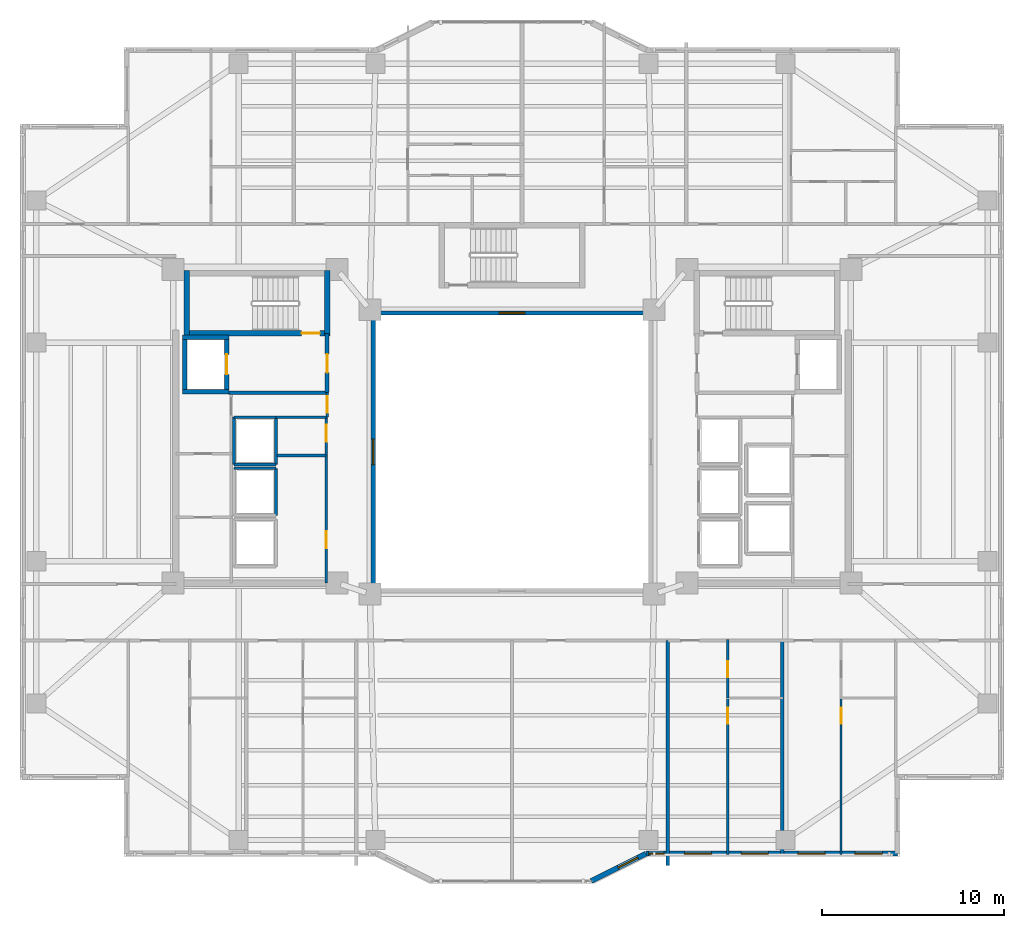
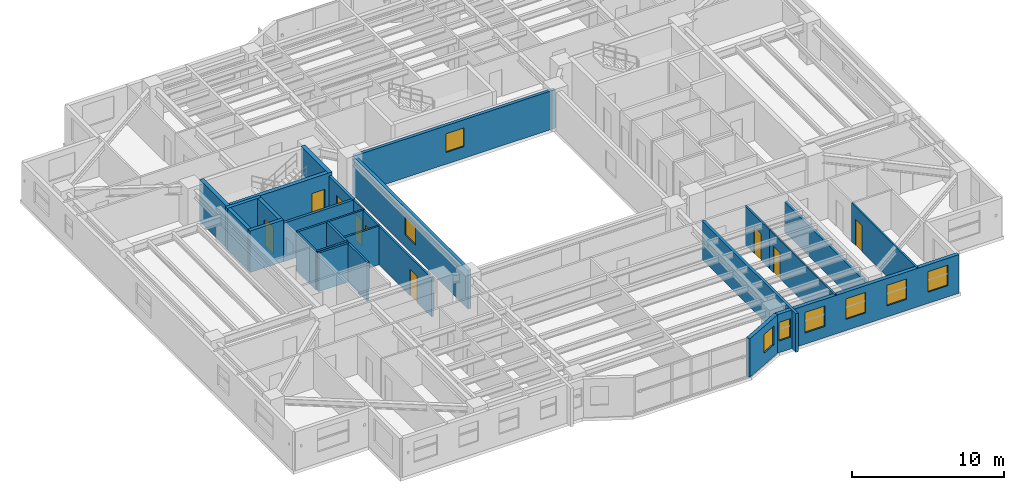
# One storey, part 7 of 18: 28 walls, 9 doors, 8 windows, 17 openings.
"""IFC4 building model written with IfcOpenShell, lengths in metres."""

from ifc_helpers import new_model, si_unit, direction, frame, frame_2d, origin, place, context, subcontext, project, spatial, rectangle, extrude, material, layer, layer_set, type_object, element, fill, save


model = new_model("IFC4")

# Units and contexts
model_context = context("Model", 3, precision=1e-05, world=origin(), true_north=direction((0.0, 1.0)))
body_context = subcontext(model_context, "Body", "Model", "MODEL_VIEW")
ifc_project = project(units=[si_unit("LENGTHUNIT", "METRE"), si_unit("AREAUNIT", "SQUARE_METRE"), si_unit("VOLUMEUNIT", "CUBIC_METRE"), si_unit("PLANEANGLEUNIT", "RADIAN"), si_unit("MASSUNIT", "GRAM", prefix="KILO")], contexts=[model_context])

# Site, building, storey
site_placement = place(None, origin())
site = spatial("IfcSite", under=ifc_project, at=site_placement, CompositionType="ELEMENT")
building_placement = place(site_placement, origin())
building = spatial("IfcBuilding", under=site, at=building_placement, Name="Tarnavaz Court Tower", CompositionType="ELEMENT")
storey_placement = place(building_placement, frame((0.0, 0.0, 101.75)))
storey = spatial("IfcBuildingStorey", under=building, at=storey_placement, Name="L27", CompositionType="ELEMENT", Elevation=101.75)

# Wall
ifc_material_1 = material(Name="Concrete C60/75", Category="concrete")
ifc_layer_1 = layer(ifc_material_1, 0.25)
ifc_layer_set_1 = layer_set([ifc_layer_1], Name="Concrete C60/75")
wall_type_1 = type_object("IfcWallType", Name="WL-CORE-250-C60", PredefinedType="SHEAR", material=ifc_layer_set_1)
wall_1_placement = place(storey_placement, frame((-17.949951171875, 3.175048828125, 0.0), z_axis=(0.0, 0.0, 1.0), x_axis=(0.0, 1.0, 0.0)))
element("IfcWall", 1, at=wall_1_placement, inside=storey, type_object=wall_type_1, Name="L27 Lift FL-W1 Shaft Wall 017", PredefinedType="SHEAR", context=body_context, shape_type="SweptSolid", body=[
    extrude(rectangle(XDim=3.25, YDim=0.25, at=frame_2d((1.625, 0.0))), origin(), (0.0, 0.0, 1.0), 3.35009765625),
])

# Wall, opening, door
wall_2_placement = place(storey_placement, frame((-15.64990234375, 3.175048828125, 0.0), z_axis=(0.0, 0.0, 1.0), x_axis=(0.0, 1.0, 0.0)))
wall_2 = element("IfcWall", 2, at=wall_2_placement, inside=storey, type_object=wall_type_1, Name="L27 Lift FL-W1 Shaft Wall 018", PredefinedType="SHEAR", context=body_context, shape_type="SweptSolid", body=[
    extrude(rectangle(XDim=3.25, YDim=0.25, at=frame_2d((1.625, 0.0))), origin(), (0.0, 0.0, 1.0), 3.35009765625),
])
opening_1_placement = place(wall_2_placement, frame((1.074951171875, 0.0, 0.0)))
opening_1 = element("IfcOpeningElement", 3, at=opening_1_placement, cuts=wall_2, Name="Opening LD1", PredefinedType="OPENING", context=body_context, shape_type="SweptSolid", body=[
    extrude(rectangle(XDim=1.10009765625, YDim=2.14990234375, at=frame_2d((0.550048828125, 1.074951171875))), frame((0.0, 0.135009765625, 0.0), z_axis=(0.0, -1.0, 0.0), x_axis=(1.0, 0.0, 0.0)), (0.0, 0.0, 1.0), 0.27001953125),
])
ifc_material_2 = material(Name="Stainless Steel", Category="steel")
door_type_1 = type_object("IfcDoorType", Name="DR-LD-1100", OperationType="NOTDEFINED", PredefinedType="DOOR", material=ifc_material_2)
door_1_placement = place(opening_1_placement, origin())
door_1 = element("IfcDoor", 4, at=door_1_placement, inside=storey, type_object=door_type_1, Name="L27 Lift Landing Door LD-FL-W1", OperationType="SLIDING_TO_LEFT", OverallHeight=2.14990234375, OverallWidth=1.10009765625, PredefinedType="DOOR", context=body_context, shape_type="SweptSolid", body=[
    extrude(rectangle(XDim=1.10009765625, YDim=2.14990234375, at=frame_2d((0.550048828125, 1.074951171875))), frame((0.0, 0.02490234375, 0.0), z_axis=(0.0, -1.0, 0.0), x_axis=(1.0, 0.0, 0.0)), (0.0, 0.0, 1.0), 0.050048828125),
])
fill(opening_1, door_1)

# Walls
for number, where, z_axis, x_axis, name in (
    (5, (-18.074951171875, 3.300048828125, 0.0), (0.0, 0.0, 1.0), (1.0, 0.0, 0.0), "L27 Lift FL-W1 Shaft Wall 019"),
    (6, (-18.074951171875, 6.300048828125, 0.0), (0.0, 0.0, 1.0), (1.0, 0.0, 0.0), "L27 Lift FL-W1 Shaft Wall 020"),
):
    element("IfcWall", number, at=place(storey_placement, frame(where, z_axis=z_axis, x_axis=x_axis)), inside=storey, type_object=wall_type_1, Name=name, PredefinedType="SHEAR", context=body_context, shape_type="SweptSolid", body=[
        extrude(rectangle(XDim=2.550048828125, YDim=0.25, at=frame_2d((1.27490234375, 0.0))), origin(), (0.0, 0.0, 1.0), 3.35009765625),
    ])

# Wall, opening, door
ifc_layer_2 = layer(ifc_material_1, 0.300048828125)
ifc_layer_set_2 = layer_set([ifc_layer_2], Name="Concrete C60/75")
wall_type_2 = type_object("IfcWallType", Name="WL-CORE-300-C60", PredefinedType="SHEAR", material=ifc_layer_set_2)
wall_3_placement = place(storey_placement, frame((-18.0, 6.5, 0.0), z_axis=(0.0, 0.0, 1.0), x_axis=(1.0, 0.0, 0.0)))
wall_3 = element("IfcWall", 7, at=wall_3_placement, inside=storey, type_object=wall_type_2, Name="L27 West Stair Core Wall 002", PredefinedType="SHEAR", context=body_context, shape_type="SweptSolid", body=[
    extrude(rectangle(XDim=8.0, YDim=0.300048828125, at=frame_2d((4.0, 0.0))), origin(), (0.0, 0.0, 1.0), 3.35009765625),
])
opening_2_placement = place(wall_3_placement, frame((6.449951171875, 0.0, 0.0)))
opening_2 = element("IfcOpeningElement", 8, at=opening_2_placement, cuts=wall_3, Name="Opening D01", PredefinedType="OPENING", context=body_context, shape_type="SweptSolid", body=[
    extrude(rectangle(XDim=1.0, YDim=2.14990234375, at=frame_2d((0.5, 1.074951171875))), frame((0.0, 0.159912109375, 0.0), z_axis=(0.0, -1.0, 0.0), x_axis=(1.0, 0.0, 0.0)), (0.0, 0.0, 1.0), 0.320068359375),
])
ifc_material_3 = material(Name="Fire-Rated Hardwood Timber Core", Category="wood")
door_type_2 = type_object("IfcDoorType", Name="DR-FD90-1000", OperationType="NOTDEFINED", PredefinedType="DOOR", material=ifc_material_3)
door_2_placement = place(opening_2_placement, origin())
door_2 = element("IfcDoor", 9, at=door_2_placement, inside=storey, type_object=door_type_2, Name="L27 Stair ST-W1 Exit Door", OperationType="SINGLE_SWING_LEFT", OverallHeight=2.14990234375, OverallWidth=1.0, PredefinedType="DOOR", context=body_context, shape_type="SweptSolid", body=[
    extrude(rectangle(XDim=1.0, YDim=2.14990234375, at=frame_2d((0.5, 1.074951171875))), frame((0.0, 0.02490234375, 0.0), z_axis=(0.0, -1.0, 0.0), x_axis=(1.0, 0.0, 0.0)), (0.0, 0.0, 1.0), 0.050048828125),
])
fill(opening_2, door_2)

# Walls
for number, where, z_axis, x_axis, name in (
    (10, (-17.85009765625, 6.35009765625, 0.0), (0.0, 0.0, 1.0), (0.0, 1.0, 0.0), "L27 West Stair Core Wall 003"),
    (11, (-10.14990234375, 6.35009765625, 0.0), (0.0, 0.0, 1.0), (0.0, 1.0, 0.0), "L27 West Stair Core Wall 004"),
):
    element("IfcWall", number, at=place(storey_placement, frame(where, z_axis=z_axis, x_axis=x_axis)), inside=storey, type_object=wall_type_2, Name=name, PredefinedType="SHEAR", context=body_context, shape_type="SweptSolid", body=[
        extrude(rectangle(XDim=3.58984375, YDim=0.300048828125, at=frame_2d((1.794921875, 0.0))), origin(), (0.0, 0.0, 1.0), 3.35009765625),
    ])

# Wall, openings, windows
ifc_material_4 = material(Name="Precast Concrete C40/50", Category="concrete")
ifc_layer_3 = layer(ifc_material_4, 0.280029296875)
ifc_layer_set_3 = layer_set([ifc_layer_3], Name="Precast Concrete C40/50")
wall_type_3 = type_object("IfcWallType", Name="WL-EXT-280", PredefinedType="SOLIDWALL", material=ifc_layer_set_3)
wall_4_placement = place(storey_placement, frame((21.14990234375, -22.050048828125, 0.0), z_axis=(0.0, 0.0, 1.0), x_axis=(-1.0, 0.0, 0.0)))
wall_4 = element("IfcWall", 12, at=wall_4_placement, inside=storey, type_object=wall_type_3, Name="L27 Exterior Terracotta Facade Wall 15", PredefinedType="SOLIDWALL", context=body_context, shape_type="SweptSolid", body=[
    extrude(rectangle(XDim=13.7998046875, YDim=0.280029296875, at=frame_2d((6.89990234375, 0.0))), origin(), (0.0, 0.0, 1.0), 3.10009765625),
])
opening_3_placement = place(wall_4_placement, frame((0.830810546875, 0.0, 0.89990234375)))
opening_3 = element("IfcOpeningElement", 13, at=opening_3_placement, cuts=wall_4, Name="Opening W03", PredefinedType="OPENING", context=body_context, shape_type="SweptSolid", body=[
    extrude(rectangle(XDim=1.5, YDim=1.64990234375, at=frame_2d((0.75, 0.824951171875))), frame((0.0, 0.14990234375, 0.0), z_axis=(0.0, -1.0, 0.0), x_axis=(1.0, 0.0, 0.0)), (0.0, 0.0, 1.0), 0.300048828125),
])
opening_4_placement = place(wall_4_placement, frame((3.967041015625, 0.0, 0.89990234375)))
opening_4 = element("IfcOpeningElement", 14, at=opening_4_placement, cuts=wall_4, Name="Opening W03", PredefinedType="OPENING", context=body_context, shape_type="SweptSolid", body=[
    extrude(rectangle(XDim=1.5, YDim=1.64990234375, at=frame_2d((0.75, 0.824951171875))), frame((0.0, 0.14990234375, 0.0), z_axis=(0.0, -1.0, 0.0), x_axis=(1.0, 0.0, 0.0)), (0.0, 0.0, 1.0), 0.300048828125),
])
opening_5_placement = place(wall_4_placement, frame((7.078369140625, 0.0, 0.89990234375)))
opening_5 = element("IfcOpeningElement", 15, at=opening_5_placement, cuts=wall_4, Name="Opening W03", PredefinedType="OPENING", context=body_context, shape_type="SweptSolid", body=[
    extrude(rectangle(XDim=1.5, YDim=1.64990234375, at=frame_2d((0.75, 0.824951171875))), frame((0.0, 0.14990234375, 0.0), z_axis=(0.0, -1.0, 0.0), x_axis=(1.0, 0.0, 0.0)), (0.0, 0.0, 1.0), 0.300048828125),
])
opening_6_placement = place(wall_4_placement, frame((10.189697265625, 0.0, 0.89990234375)))
opening_6 = element("IfcOpeningElement", 16, at=opening_6_placement, cuts=wall_4, Name="Opening W03", PredefinedType="OPENING", context=body_context, shape_type="SweptSolid", body=[
    extrude(rectangle(XDim=1.5, YDim=1.64990234375, at=frame_2d((0.75, 0.824951171875))), frame((0.0, 0.14990234375, 0.0), z_axis=(0.0, -1.0, 0.0), x_axis=(1.0, 0.0, 0.0)), (0.0, 0.0, 1.0), 0.300048828125),
])
opening_7_placement = place(wall_4_placement, frame((12.802978515625, 0.0, 0.949951171875)))
opening_7 = element("IfcOpeningElement", 17, at=opening_7_placement, cuts=wall_4, Name="Opening W15", PredefinedType="OPENING", context=body_context, shape_type="SweptSolid", body=[
    extrude(rectangle(XDim=0.85009765625, YDim=1.5, at=frame_2d((0.425048828125, 0.75))), frame((0.0, 0.14990234375, 0.0), z_axis=(0.0, -1.0, 0.0), x_axis=(1.0, 0.0, 0.0)), (0.0, 0.0, 1.0), 0.300048828125),
])
ifc_material_5 = material(Name="Double-Glazed Solar Low-E Glass", Category="glass")
window_type_1 = type_object("IfcWindowType", Name="WN-APT-1500", PartitioningType="DOUBLE_PANEL_VERTICAL", PredefinedType="WINDOW", material=ifc_material_5)
window_1_placement = place(opening_3_placement, origin())
window_1 = element("IfcWindow", 18, at=window_1_placement, inside=storey, type_object=window_type_1, Name="L27 Flat 08 Kitchen Window", OverallHeight=1.64990234375, OverallWidth=1.5, PartitioningType="SINGLE_PANEL", PredefinedType="WINDOW", context=body_context, shape_type="SweptSolid", body=[
    extrude(rectangle(XDim=1.5, YDim=1.64990234375, at=frame_2d((0.75, 0.824951171875))), frame((0.0, 0.030029296875, 0.0), z_axis=(0.0, -1.0, 0.0), x_axis=(1.0, 0.0, 0.0)), (0.0, 0.0, 1.0), 0.06005859375),
])
fill(opening_3, window_1)
window_2_placement = place(opening_4_placement, origin())
window_2 = element("IfcWindow", 19, at=window_2_placement, inside=storey, type_object=window_type_1, Name="L27 Flat 08 Studio Living and Sleeping Room Window", OverallHeight=1.64990234375, OverallWidth=1.5, PartitioningType="SINGLE_PANEL", PredefinedType="WINDOW", context=body_context, shape_type="SweptSolid", body=[
    extrude(rectangle(XDim=1.5, YDim=1.64990234375, at=frame_2d((0.75, 0.824951171875))), frame((0.0, 0.030029296875, 0.0), z_axis=(0.0, -1.0, 0.0), x_axis=(1.0, 0.0, 0.0)), (0.0, 0.0, 1.0), 0.06005859375),
])
fill(opening_4, window_2)
window_3_placement = place(opening_5_placement, origin())
window_3 = element("IfcWindow", 20, at=window_3_placement, inside=storey, type_object=window_type_1, Name="L27 Flat 07 Kitchen Window", OverallHeight=1.64990234375, OverallWidth=1.5, PartitioningType="SINGLE_PANEL", PredefinedType="WINDOW", context=body_context, shape_type="SweptSolid", body=[
    extrude(rectangle(XDim=1.5, YDim=1.64990234375, at=frame_2d((0.75, 0.824951171875))), frame((0.0, 0.030029296875, 0.0), z_axis=(0.0, -1.0, 0.0), x_axis=(1.0, 0.0, 0.0)), (0.0, 0.0, 1.0), 0.06005859375),
])
fill(opening_5, window_3)
window_4_placement = place(opening_6_placement, origin())
window_4 = element("IfcWindow", 21, at=window_4_placement, inside=storey, type_object=window_type_1, Name="L27 Flat 07 Studio Living and Sleeping Room Window", OverallHeight=1.64990234375, OverallWidth=1.5, PartitioningType="SINGLE_PANEL", PredefinedType="WINDOW", context=body_context, shape_type="SweptSolid", body=[
    extrude(rectangle(XDim=1.5, YDim=1.64990234375, at=frame_2d((0.75, 0.824951171875))), frame((0.0, 0.030029296875, 0.0), z_axis=(0.0, -1.0, 0.0), x_axis=(1.0, 0.0, 0.0)), (0.0, 0.0, 1.0), 0.06005859375),
])
fill(opening_6, window_4)
window_type_2 = type_object("IfcWindowType", Name="WN-APT-850", PartitioningType="SINGLE_PANEL", PredefinedType="WINDOW", material=ifc_material_5)
window_5_placement = place(opening_7_placement, origin())
window_5 = element("IfcWindow", 22, at=window_5_placement, inside=storey, type_object=window_type_2, Name="L27 South Courtyard Reading Room Window", OverallHeight=1.5, OverallWidth=0.85009765625, PartitioningType="SINGLE_PANEL", PredefinedType="WINDOW", context=body_context, shape_type="SweptSolid", body=[
    extrude(rectangle(XDim=0.85009765625, YDim=1.5, at=frame_2d((0.425048828125, 0.75))), frame((0.0, 0.030029296875, 0.0), z_axis=(0.0, -1.0, 0.0), x_axis=(1.0, 0.0, 0.0)), (0.0, 0.0, 1.0), 0.06005859375),
])
fill(opening_7, window_5)

# Wall, opening, window
wall_5_placement = place(storey_placement, frame((7.35009765625, -22.050048828125, 0.0), z_axis=(0.0, 0.0, 1.0), x_axis=(-0.894427191, -0.4472135955, 0.0)))
wall_5 = element("IfcWall", 23, at=wall_5_placement, inside=storey, type_object=wall_type_3, Name="L27 Exterior Terracotta Facade Wall 16", PredefinedType="SOLIDWALL", context=body_context, shape_type="SweptSolid", body=[
    extrude(rectangle(XDim=3.35400390625, YDim=0.280029296875, at=frame_2d((1.677001953125, 0.0))), origin(), (0.0, 0.0, 1.0), 3.10009765625),
])
opening_8_placement = place(wall_5_placement, frame((0.501220703125, 0.0, 0.949951171875)))
opening_8 = element("IfcOpeningElement", 24, at=opening_8_placement, cuts=wall_5, Name="Opening W05", PredefinedType="OPENING", context=body_context, shape_type="SweptSolid", body=[
    extrude(rectangle(XDim=1.199951171875, YDim=1.5, at=frame_2d((0.60009765625, 0.75))), frame((0.0, 0.14990234375, 0.0), z_axis=(0.0, -1.0, 0.0), x_axis=(1.0, 0.0, 0.0)), (0.0, 0.0, 1.0), 0.300048828125),
])
window_type_3 = type_object("IfcWindowType", Name="WN-APT-1200", PartitioningType="SINGLE_PANEL", PredefinedType="WINDOW", material=ifc_material_5)
window_6_placement = place(opening_8_placement, origin())
window_6 = element("IfcWindow", 25, at=window_6_placement, inside=storey, type_object=window_type_3, Name="L27 South Courtyard Reading Room Window", OverallHeight=1.5, OverallWidth=1.199951171875, PartitioningType="SINGLE_PANEL", PredefinedType="WINDOW", context=body_context, shape_type="SweptSolid", body=[
    extrude(rectangle(XDim=1.199951171875, YDim=1.5, at=frame_2d((0.60009765625, 0.75))), frame((0.0, 0.030029296875, 0.0), z_axis=(0.0, -1.0, 0.0), x_axis=(1.0, 0.0, 0.0)), (0.0, 0.0, 1.0), 0.06005859375),
])
fill(opening_8, window_6)

# Wall
ifc_material_6 = material(Name="Autoclaved Aerated Concrete Blockwork", Category="masonry")
ifc_layer_4 = layer(ifc_material_6, 0.199951171875)
ifc_layer_set_4 = layer_set([ifc_layer_4], Name="Autoclaved Aerated Concrete Blockwork")
wall_type_4 = type_object("IfcWallType", Name="WL-FIRE-200", PredefinedType="SOLIDWALL", material=ifc_layer_set_4)
wall_6_placement = place(storey_placement, frame((-15.550048828125, 3.25, 0.0), z_axis=(0.0, 0.0, 1.0), x_axis=(1.0, 0.0, 0.0)))
element("IfcWall", 26, at=wall_6_placement, inside=storey, type_object=wall_type_4, Name="L27 West Firefighting Lobby Wall 013", PredefinedType="SOLIDWALL", context=body_context, shape_type="SweptSolid", body=[
    extrude(rectangle(XDim=5.400146484375, YDim=0.199951171875, at=frame_2d((2.7001953125, 0.0))), origin(), (0.0, 0.0, 1.0), 3.10009765625),
])

# Wall, opening, door
wall_7_placement = place(storey_placement, frame((-10.14990234375, 3.25, 0.0), z_axis=(0.0, 0.0, 1.0), x_axis=(0.0, 1.0, 0.0)))
wall_7 = element("IfcWall", 27, at=wall_7_placement, inside=storey, type_object=wall_type_4, Name="L27 West Firefighting Lobby Wall 014", PredefinedType="SOLIDWALL", context=body_context, shape_type="SweptSolid", body=[
    extrude(rectangle(XDim=3.25, YDim=0.199951171875, at=frame_2d((1.625, 0.0))), origin(), (0.0, 0.0, 1.0), 3.10009765625),
])
opening_9_placement = place(wall_7_placement, frame((1.10009765625, 0.0, 0.0)))
opening_9 = element("IfcOpeningElement", 28, at=opening_9_placement, cuts=wall_7, Name="Opening D05", PredefinedType="OPENING", context=body_context, shape_type="SweptSolid", body=[
    extrude(rectangle(XDim=1.02001953125, YDim=2.14990234375, at=frame_2d((0.510009765625, 1.074951171875))), frame((0.0, 0.10986328125, 0.0), z_axis=(0.0, -1.0, 0.0), x_axis=(1.0, 0.0, 0.0)), (0.0, 0.0, 1.0), 0.219970703125),
])
door_type_3 = type_object("IfcDoorType", Name="DR-FD60-1000", OperationType="NOTDEFINED", PredefinedType="DOOR", material=ifc_material_3)
door_3_placement = place(opening_9_placement, origin())
door_3 = element("IfcDoor", 29, at=door_3_placement, inside=storey, type_object=door_type_3, Name="L27 West Firefighting Lobby Door", OperationType="SINGLE_SWING_RIGHT", OverallHeight=2.14990234375, OverallWidth=1.02001953125, PredefinedType="DOOR", context=body_context, shape_type="SweptSolid", body=[
    extrude(rectangle(XDim=1.02001953125, YDim=2.14990234375, at=frame_2d((0.510009765625, 1.074951171875))), frame((0.0, 0.02490234375, 0.0), z_axis=(0.0, -1.0, 0.0), x_axis=(1.0, 0.0, 0.0)), (0.0, 0.0, 1.0), 0.050048828125),
])
fill(opening_9, door_3)

# Walls
wall_8_placement = place(storey_placement, frame((14.824951171875, -22.10009765625, 0.0), z_axis=(0.0, 0.0, 1.0), x_axis=(0.0, 1.0, 0.0)))
element("IfcWall", 30, at=wall_8_placement, inside=storey, type_object=wall_type_4, Name="L27 Party Wall 102", PredefinedType="SOLIDWALL", context=body_context, shape_type="SweptSolid", body=[
    extrude(rectangle(XDim=11.75, YDim=0.199951171875, at=frame_2d((5.875, 0.0))), origin(), (0.0, 0.0, 1.0), 2.43505859375),
])
wall_9_placement = place(storey_placement, frame((8.550048828125, -22.7041015625, 0.0), z_axis=(0.0, 0.0, 1.0), x_axis=(0.0, 1.0, 0.0)))
element("IfcWall", 31, at=wall_9_placement, inside=storey, type_object=wall_type_4, Name="L27 Party Wall 110", PredefinedType="SOLIDWALL", context=body_context, shape_type="SweptSolid", body=[
    extrude(rectangle(XDim=12.35400390625, YDim=0.199951171875, at=frame_2d((6.177001953125, 0.0))), origin(), (0.0, 0.0, 1.0), 3.10009765625),
])

# Wall, opening, door
ifc_material_7 = material(Name="Moisture-Resistant Gypsum Board Partition", Category="masonry")
ifc_layer_5 = layer(ifc_material_7, 0.1201171875)
ifc_layer_set_5 = layer_set([ifc_layer_5], Name="Moisture-Resistant Gypsum Board Partition")
wall_type_5 = type_object("IfcWallType", Name="WL-PART-120", PredefinedType="PARTITIONING", material=ifc_layer_set_5)
wall_10_placement = place(storey_placement, frame((11.8349609375, -22.10009765625, 0.0), z_axis=(0.0, 0.0, 1.0), x_axis=(0.0, 1.0, 0.0)))
wall_10 = element("IfcWall", 32, at=wall_10_placement, inside=storey, type_object=wall_type_5, Name="L27 Interior Partition 103", PredefinedType="PARTITIONING", context=body_context, shape_type="SweptSolid", body=[
    extrude(rectangle(XDim=8.590087890625, YDim=0.1201171875, at=frame_2d((4.294921875, 0.0))), origin(), (0.0, 0.0, 1.0), 3.10009765625),
])
opening_10_placement = place(wall_10_placement, frame((7.18994140625, 0.0, 0.0)))
opening_10 = element("IfcOpeningElement", 33, at=opening_10_placement, cuts=wall_10, Name="Opening D14", PredefinedType="OPENING", context=body_context, shape_type="SweptSolid", body=[
    extrude(rectangle(XDim=0.8798828125, YDim=2.10009765625, at=frame_2d((0.43994140625, 1.050048828125))), frame((0.0, 0.070068359375, 0.0), z_axis=(0.0, -1.0, 0.0), x_axis=(1.0, 0.0, 0.0)), (0.0, 0.0, 1.0), 0.14013671875),
])
ifc_material_8 = material(Name="Engineered Oak Timber", Category="wood")
door_type_4 = type_object("IfcDoorType", Name="DR-INT-900", OperationType="NOTDEFINED", PredefinedType="DOOR", material=ifc_material_8)
door_4_placement = place(opening_10_placement, origin())
door_4 = element("IfcDoor", 34, at=door_4_placement, inside=storey, type_object=door_type_4, Name="L27 Flat 07 Kitchen Door", OperationType="SINGLE_SWING_LEFT", OverallHeight=2.10009765625, OverallWidth=0.8798828125, PredefinedType="DOOR", context=body_context, shape_type="SweptSolid", body=[
    extrude(rectangle(XDim=0.8798828125, YDim=2.10009765625, at=frame_2d((0.43994140625, 1.050048828125))), frame((0.0, 0.02490234375, 0.0), z_axis=(0.0, -1.0, 0.0), x_axis=(1.0, 0.0, 0.0)), (0.0, 0.0, 1.0), 0.050048828125),
])
fill(opening_10, door_4)

wall_11_placement = place(storey_placement, frame((11.8349609375, -13.510009765625, 0.0), z_axis=(0.0, 0.0, 1.0), x_axis=(0.0, 1.0, 0.0)))
wall_11 = element("IfcWall", 35, at=wall_11_placement, inside=storey, type_object=wall_type_5, Name="L27 Interior Partition 104", PredefinedType="PARTITIONING", context=body_context, shape_type="SweptSolid", body=[
    extrude(rectangle(XDim=3.219970703125, YDim=0.1201171875, at=frame_2d((1.60986328125, 0.0))), origin(), (0.0, 0.0, 1.0), 3.10009765625),
])
opening_11_placement = place(wall_11_placement, frame((1.139892578125, 0.0, 0.0)))
opening_11 = element("IfcOpeningElement", 36, at=opening_11_placement, cuts=wall_11, Name="Opening D14", PredefinedType="OPENING", context=body_context, shape_type="SweptSolid", body=[
    extrude(rectangle(XDim=0.8798828125, YDim=2.10009765625, at=frame_2d((0.43994140625, 1.050048828125))), frame((0.0, 0.070068359375, 0.0), z_axis=(0.0, -1.0, 0.0), x_axis=(1.0, 0.0, 0.0)), (0.0, 0.0, 1.0), 0.14013671875),
])
door_5_placement = place(opening_11_placement, origin())
door_5 = element("IfcDoor", 37, at=door_5_placement, inside=storey, type_object=door_type_4, Name="L27 Flat 07 Bathroom Door", OperationType="SINGLE_SWING_RIGHT", OverallHeight=2.10009765625, OverallWidth=0.8798828125, PredefinedType="DOOR", context=body_context, shape_type="SweptSolid", body=[
    extrude(rectangle(XDim=0.8798828125, YDim=2.10009765625, at=frame_2d((0.43994140625, 1.050048828125))), frame((0.0, 0.02490234375, 0.0), z_axis=(0.0, -1.0, 0.0), x_axis=(1.0, 0.0, 0.0)), (0.0, 0.0, 1.0), 0.050048828125),
])
fill(opening_11, door_5)

wall_12_placement = place(storey_placement, frame((18.06005859375, -22.10009765625, 0.0), z_axis=(0.0, 0.0, 1.0), x_axis=(0.0, 1.0, 0.0)))
wall_12 = element("IfcWall", 38, at=wall_12_placement, inside=storey, type_object=wall_type_5, Name="L27 Interior Partition 106", PredefinedType="PARTITIONING", context=body_context, shape_type="SweptSolid", body=[
    extrude(rectangle(XDim=8.590087890625, YDim=0.1201171875, at=frame_2d((4.294921875, 0.0))), origin(), (0.0, 0.0, 1.0), 3.10009765625),
])
opening_12_placement = place(wall_12_placement, frame((7.18994140625, 0.0, 0.0)))
opening_12 = element("IfcOpeningElement", 39, at=opening_12_placement, cuts=wall_12, Name="Opening D14", PredefinedType="OPENING", context=body_context, shape_type="SweptSolid", body=[
    extrude(rectangle(XDim=0.8798828125, YDim=2.10009765625, at=frame_2d((0.43994140625, 1.050048828125))), frame((0.0, 0.070068359375, 0.0), z_axis=(0.0, -1.0, 0.0), x_axis=(1.0, 0.0, 0.0)), (0.0, 0.0, 1.0), 0.14013671875),
])
door_6_placement = place(opening_12_placement, origin())
door_6 = element("IfcDoor", 40, at=door_6_placement, inside=storey, type_object=door_type_4, Name="L27 Flat 08 Kitchen Door", OperationType="SINGLE_SWING_RIGHT", OverallHeight=2.10009765625, OverallWidth=0.8798828125, PredefinedType="DOOR", context=body_context, shape_type="SweptSolid", body=[
    extrude(rectangle(XDim=0.8798828125, YDim=2.10009765625, at=frame_2d((0.43994140625, 1.050048828125))), frame((0.0, 0.02490234375, 0.0), z_axis=(0.0, -1.0, 0.0), x_axis=(1.0, 0.0, 0.0)), (0.0, 0.0, 1.0), 0.050048828125),
])
fill(opening_12, door_6)

# Wall
ifc_material_9 = material(Name="Gypsum Plasterboard Acoustic Partition", Category="masonry")
ifc_layer_6 = layer(ifc_material_9, 0.139892578125)
ifc_layer_set_6 = layer_set([ifc_layer_6], Name="Gypsum Plasterboard Acoustic Partition")
wall_type_6 = type_object("IfcWallType", Name="WL-PART-150", PredefinedType="PARTITIONING", material=ifc_layer_set_6)
wall_13_placement = place(storey_placement, frame((-12.949951171875, 1.89990234375, 0.0), z_axis=(0.0, 0.0, 1.0), x_axis=(1.0, 0.0, 0.0)))
element("IfcWall", 41, at=wall_13_placement, inside=storey, type_object=wall_type_6, Name="L27 Interior Partition 061", PredefinedType="PARTITIONING", context=body_context, shape_type="SweptSolid", body=[
    extrude(rectangle(XDim=2.800048828125, YDim=0.139892578125, at=frame_2d((1.39990234375, 0.0))), origin(), (0.0, 0.0, 1.0), 3.10009765625),
])

# Wall, opening, door
wall_14_placement = place(storey_placement, frame((-10.14990234375, 1.919921875, 0.0), z_axis=(0.0, 0.0, 1.0), x_axis=(0.0, 1.0, 0.0)))
wall_14 = element("IfcWall", 42, at=wall_14_placement, inside=storey, type_object=wall_type_6, Name="L27 Interior Partition 062", PredefinedType="PARTITIONING", context=body_context, shape_type="SweptSolid", body=[
    extrude(rectangle(XDim=1.330078125, YDim=0.139892578125, at=frame_2d((0.6650390625, 0.0))), origin(), (0.0, 0.0, 1.0), 3.10009765625),
])
opening_13_placement = place(wall_14_placement, frame((0.219970703125, 0.0, 0.0)))
opening_13 = element("IfcOpeningElement", 43, at=opening_13_placement, cuts=wall_14, Name="Opening D09", PredefinedType="OPENING", context=body_context, shape_type="SweptSolid", body=[
    extrude(rectangle(XDim=0.89990234375, YDim=2.080078125, at=frame_2d((0.449951171875, 1.0400390625))), frame((0.0, 0.079833984375, 0.0), z_axis=(0.0, -1.0, 0.0), x_axis=(1.0, 0.0, 0.0)), (0.0, 0.0, 1.0), 0.159912109375),
])
door_type_5 = type_object("IfcDoorType", Name="DR-FD30-900", OperationType="NOTDEFINED", PredefinedType="DOOR", material=ifc_material_3)
door_7_placement = place(opening_13_placement, origin())
door_7 = element("IfcDoor", 44, at=door_7_placement, inside=storey, type_object=door_type_5, Name="L27 West Core Service Lobby Door", OperationType="SINGLE_SWING_LEFT", OverallHeight=2.080078125, OverallWidth=0.89990234375, PredefinedType="DOOR", context=body_context, shape_type="SweptSolid", body=[
    extrude(rectangle(XDim=0.89990234375, YDim=2.080078125, at=frame_2d((0.449951171875, 1.0400390625))), frame((0.0, 0.02490234375, 0.0), z_axis=(0.0, -1.0, 0.0), x_axis=(1.0, 0.0, 0.0)), (0.0, 0.0, 1.0), 0.050048828125),
])
fill(opening_13, door_7)

# Wall, openings, doors
wall_15_placement = place(storey_placement, frame((-10.199951171875, -7.199951171875, 0.0), z_axis=(0.0, 0.0, 1.0), x_axis=(0.0, 1.0, 0.0)))
wall_15 = element("IfcWall", 45, at=wall_15_placement, inside=storey, type_object=wall_type_6, Name="L27 West Reclaimed Core Wall 066", PredefinedType="PARTITIONING", context=body_context, shape_type="SweptSolid", body=[
    extrude(rectangle(XDim=9.119873046875, YDim=0.139892578125, at=frame_2d((4.56005859375, 0.0))), origin(), (0.0, 0.0, 1.0), 3.10009765625),
])
opening_14_placement = place(wall_15_placement, frame((1.89990234375, 0.0, 0.0)))
opening_14 = element("IfcOpeningElement", 46, at=opening_14_placement, cuts=wall_15, Name="Opening D08", PredefinedType="OPENING", context=body_context, shape_type="SweptSolid", body=[
    extrude(rectangle(XDim=0.949951171875, YDim=2.1201171875, at=frame_2d((0.47509765625, 1.06005859375))), frame((0.0, 0.079833984375, 0.0), z_axis=(0.0, -1.0, 0.0), x_axis=(1.0, 0.0, 0.0)), (0.0, 0.0, 1.0), 0.159912109375),
])
opening_15_placement = place(wall_15_placement, frame((7.75, 0.0, 0.0)))
opening_15 = element("IfcOpeningElement", 47, at=opening_15_placement, cuts=wall_15, Name="Opening D08", PredefinedType="OPENING", context=body_context, shape_type="SweptSolid", body=[
    extrude(rectangle(XDim=0.949951171875, YDim=2.1201171875, at=frame_2d((0.47509765625, 1.06005859375))), frame((0.0, 0.079833984375, 0.0), z_axis=(0.0, -1.0, 0.0), x_axis=(1.0, 0.0, 0.0)), (0.0, 0.0, 1.0), 0.159912109375),
])
door_type_6 = type_object("IfcDoorType", Name="DR-FD30-950", OperationType="NOTDEFINED", PredefinedType="DOOR", material=ifc_material_3)
door_8_placement = place(opening_14_placement, origin())
door_8 = element("IfcDoor", 48, at=door_8_placement, inside=storey, type_object=door_type_6, Name="L27 West Study Room Door", OperationType="SINGLE_SWING_LEFT", OverallHeight=2.1201171875, OverallWidth=0.949951171875, PredefinedType="DOOR", context=body_context, shape_type="SweptSolid", body=[
    extrude(rectangle(XDim=0.949951171875, YDim=2.1201171875, at=frame_2d((0.47509765625, 1.06005859375))), frame((0.0, 0.02490234375, 0.0), z_axis=(0.0, -1.0, 0.0), x_axis=(1.0, 0.0, 0.0)), (0.0, 0.0, 1.0), 0.050048828125),
])
fill(opening_14, door_8)
door_9_placement = place(opening_15_placement, origin())
door_9 = element("IfcDoor", 49, at=door_9_placement, inside=storey, type_object=door_type_6, Name="L27 West Laundry Room Door", OperationType="SINGLE_SWING_RIGHT", OverallHeight=2.1201171875, OverallWidth=0.949951171875, PredefinedType="DOOR", context=body_context, shape_type="SweptSolid", body=[
    extrude(rectangle(XDim=0.949951171875, YDim=2.1201171875, at=frame_2d((0.47509765625, 1.06005859375))), frame((0.0, 0.02490234375, 0.0), z_axis=(0.0, -1.0, 0.0), x_axis=(1.0, 0.0, 0.0)), (0.0, 0.0, 1.0), 0.050048828125),
])
fill(opening_15, door_9)

# Walls
wall_16_placement = place(storey_placement, frame((-12.89990234375, -0.199951171875, 0.0), z_axis=(0.0, 0.0, 1.0), x_axis=(1.0, 0.0, 0.0)))
element("IfcWall", 50, at=wall_16_placement, inside=storey, type_object=wall_type_6, Name="L27 Interior Partition 067", PredefinedType="PARTITIONING", context=body_context, shape_type="SweptSolid", body=[
    extrude(rectangle(XDim=2.699951171875, YDim=0.139892578125, at=frame_2d((1.35009765625, 0.0))), origin(), (0.0, 0.0, 1.0), 3.10009765625),
])
ifc_layer_7 = layer(ifc_material_6, 0.159912109375)
ifc_layer_set_7 = layer_set([ifc_layer_7], Name="Autoclaved Aerated Concrete Blockwork")
wall_type_7 = type_object("IfcWallType", Name="WL-SHAFT-150", PredefinedType="SOLIDWALL", material=ifc_layer_set_7)
wall_17_placement = place(storey_placement, frame((-12.949951171875, -3.5, 0.0), z_axis=(0.0, 0.0, 1.0), x_axis=(0.0, 1.0, 0.0)))
element("IfcWall", 51, at=wall_17_placement, inside=storey, type_object=wall_type_7, Name="L27 Lift PL-H2 Shaft Wall 026", PredefinedType="SOLIDWALL", context=body_context, shape_type="SweptSolid", body=[
    extrude(rectangle(XDim=2.60009765625, YDim=0.159912109375, at=frame_2d((1.300048828125, 0.0))), origin(), (0.0, 0.0, 1.0), 3.10009765625),
])
wall_18_placement = place(storey_placement, frame((-15.25, -0.89990234375, 0.0), z_axis=(0.0, 0.0, 1.0), x_axis=(1.0, 0.0, 0.0)))
element("IfcWall", 52, at=wall_18_placement, inside=storey, type_object=wall_type_7, Name="L27 Lift PL-H2 Shaft Wall 028", PredefinedType="SOLIDWALL", context=body_context, shape_type="SweptSolid", body=[
    extrude(rectangle(XDim=2.300048828125, YDim=0.159912109375, at=frame_2d((1.14990234375, 0.0))), origin(), (0.0, 0.0, 1.0), 3.10009765625),
])
for number, where, z_axis, x_axis, name in (
    (53, (-15.25, -0.699951171875, 0.0), (0.0, 0.0, 1.0), (0.0, 1.0, 0.0), "L27 Lift PL-H3 Shaft Wall 029"),
    (54, (-12.949951171875, -0.699951171875, 0.0), (0.0, 0.0, 1.0), (0.0, 1.0, 0.0), "L27 Lift PL-H3 Shaft Wall 030"),
):
    element("IfcWall", number, at=place(storey_placement, frame(where, z_axis=z_axis, x_axis=x_axis)), inside=storey, type_object=wall_type_7, Name=name, PredefinedType="SOLIDWALL", context=body_context, shape_type="SweptSolid", body=[
        extrude(rectangle(XDim=2.599853515625, YDim=0.159912109375, at=frame_2d((1.2998046875, 0.0))), origin(), (0.0, 0.0, 1.0), 3.10009765625),
    ])
for number, where, z_axis, x_axis, name in (
    (55, (-15.25, -0.699951171875, 0.0), (0.0, 0.0, 1.0), (1.0, 0.0, 0.0), "L27 Lift PL-H3 Shaft Wall 031"),
    (56, (-15.25, 1.89990234375, 0.0), (0.0, 0.0, 1.0), (1.0, 0.0, 0.0), "L27 Lift PL-H3 Shaft Wall 032"),
):
    element("IfcWall", number, at=place(storey_placement, frame(where, z_axis=z_axis, x_axis=x_axis)), inside=storey, type_object=wall_type_7, Name=name, PredefinedType="SOLIDWALL", context=body_context, shape_type="SweptSolid", body=[
        extrude(rectangle(XDim=2.300048828125, YDim=0.159912109375, at=frame_2d((1.14990234375, 0.0))), origin(), (0.0, 0.0, 1.0), 3.10009765625),
    ])

# Wall, opening, window
ifc_layer_8 = layer(ifc_material_4, 0.239990234375)
ifc_layer_set_8 = layer_set([ifc_layer_8], Name="Precast Concrete C40/50")
wall_type_8 = type_object("IfcWallType", Name="WL-WELL-240", PredefinedType="SOLIDWALL", material=ifc_layer_set_8)
wall_19_placement = place(storey_placement, frame((7.6201171875, 7.6201171875, 0.0), z_axis=(0.0, 0.0, 1.0), x_axis=(-1.0, 0.0, 0.0)))
wall_19 = element("IfcWall", 57, at=wall_19_placement, inside=storey, type_object=wall_type_8, Name="L27 Badgir Light-Well Exterior Wall N", PredefinedType="SOLIDWALL", context=body_context, shape_type="SweptSolid", body=[
    extrude(rectangle(XDim=15.240234375, YDim=0.239990234375, at=frame_2d((7.6201171875, 0.0))), origin(), (0.0, 0.0, 1.0), 3.10009765625),
])
opening_16_placement = place(wall_19_placement, frame((6.919921875, 0.0, 0.949951171875)))
opening_16 = element("IfcOpeningElement", 58, at=opening_16_placement, cuts=wall_19, Name="Opening W13", PredefinedType="OPENING", context=body_context, shape_type="SweptSolid", body=[
    extrude(rectangle(XDim=1.39990234375, YDim=1.5, at=frame_2d((0.699951171875, 0.75))), frame((0.0, 0.1298828125, 0.0), z_axis=(0.0, -1.0, 0.0), x_axis=(1.0, 0.0, 0.0)), (0.0, 0.0, 1.0), 0.260009765625),
])
window_type_4 = type_object("IfcWindowType", Name="WN-WEL-1400", PartitioningType="SINGLE_PANEL", PredefinedType="WINDOW", material=ifc_material_5)
window_7_placement = place(opening_16_placement, origin())
window_7 = element("IfcWindow", 59, at=window_7_placement, inside=storey, type_object=window_type_4, Name="L27 Courtyard Gallery Window N", OverallHeight=1.5, OverallWidth=1.39990234375, PartitioningType="SINGLE_PANEL", PredefinedType="WINDOW", context=body_context, shape_type="SweptSolid", body=[
    extrude(rectangle(XDim=1.39990234375, YDim=1.5, at=frame_2d((0.699951171875, 0.75))), frame((0.0, 0.030029296875, 0.0), z_axis=(0.0, -1.0, 0.0), x_axis=(1.0, 0.0, 0.0)), (0.0, 0.0, 1.0), 0.06005859375),
])
fill(opening_16, window_7)

wall_20_placement = place(storey_placement, frame((-7.6201171875, 7.6201171875, 0.0), z_axis=(0.0, 0.0, 1.0), x_axis=(0.0, -1.0, 0.0)))
wall_20 = element("IfcWall", 60, at=wall_20_placement, inside=storey, type_object=wall_type_8, Name="L27 Badgir Light-Well Exterior Wall W", PredefinedType="SOLIDWALL", context=body_context, shape_type="SweptSolid", body=[
    extrude(rectangle(XDim=15.240234375, YDim=0.239990234375, at=frame_2d((7.6201171875, 0.0))), origin(), (0.0, 0.0, 1.0), 3.10009765625),
])
opening_17_placement = place(wall_20_placement, frame((6.919921875, 0.0, 0.949951171875)))
opening_17 = element("IfcOpeningElement", 61, at=opening_17_placement, cuts=wall_20, Name="Opening W13", PredefinedType="OPENING", context=body_context, shape_type="SweptSolid", body=[
    extrude(rectangle(XDim=1.39990234375, YDim=1.5, at=frame_2d((0.699951171875, 0.75))), frame((0.0, 0.1298828125, 0.0), z_axis=(0.0, -1.0, 0.0), x_axis=(1.0, 0.0, 0.0)), (0.0, 0.0, 1.0), 0.260009765625),
])
window_8_placement = place(opening_17_placement, origin())
window_8 = element("IfcWindow", 62, at=window_8_placement, inside=storey, type_object=window_type_4, Name="L27 Courtyard Gallery Window W", OverallHeight=1.5, OverallWidth=1.39990234375, PartitioningType="SINGLE_PANEL", PredefinedType="WINDOW", context=body_context, shape_type="SweptSolid", body=[
    extrude(rectangle(XDim=1.39990234375, YDim=1.5, at=frame_2d((0.699951171875, 0.75))), frame((0.0, 0.030029296875, 0.0), z_axis=(0.0, -1.0, 0.0), x_axis=(1.0, 0.0, 0.0)), (0.0, 0.0, 1.0), 0.06005859375),
])
fill(opening_17, window_8)

save(model, "model.ifc")
